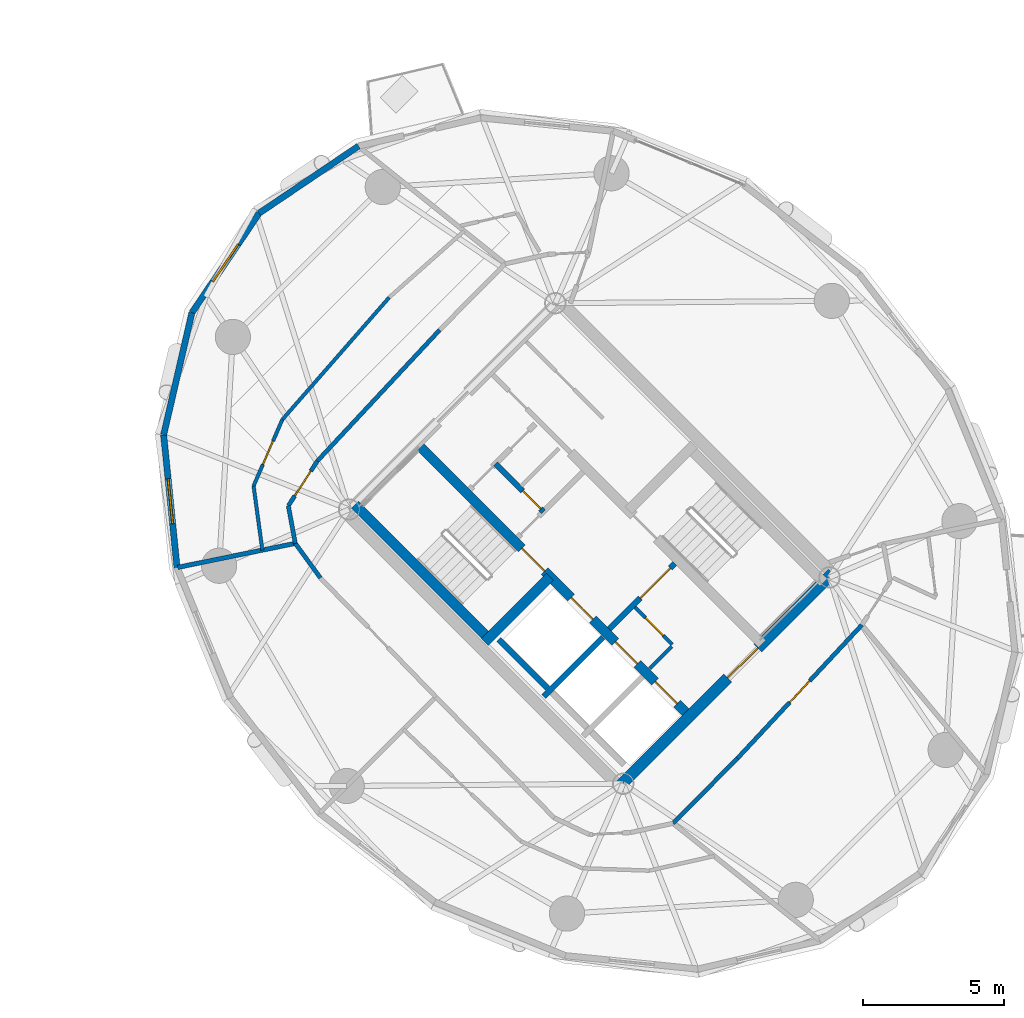
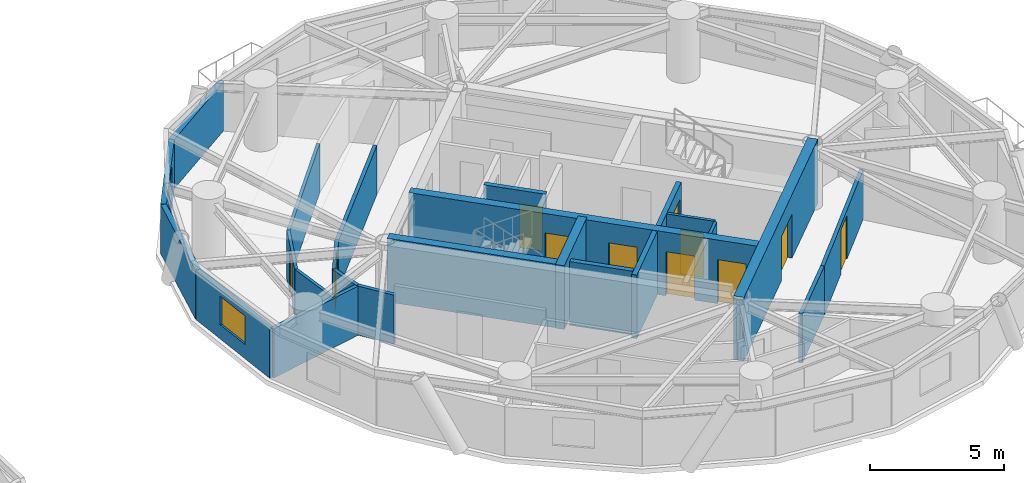
# One storey, part 11 of 16: 24 walls, 11 doors, 2 windows, 13 openings.
"""IFC4 building model written with IfcOpenShell, lengths in metres."""

from ifc_helpers import new_model, si_unit, direction, frame, frame_2d, origin, place, context, subcontext, project, spatial, rectangle, extrude, source, transform, mapped, material, layer, layer_set, type_object, element, fill, save


model = new_model("IFC4")

# Units and contexts
model_context = context("Model", 3, precision=1e-05, world=origin(), true_north=direction((0.0, 1.0)))
body_context = subcontext(model_context, "Body", "Model", "MODEL_VIEW")
ifc_project = project(units=[si_unit("LENGTHUNIT", "METRE"), si_unit("AREAUNIT", "SQUARE_METRE"), si_unit("VOLUMEUNIT", "CUBIC_METRE"), si_unit("PLANEANGLEUNIT", "RADIAN"), si_unit("MASSUNIT", "GRAM", prefix="KILO")], contexts=[model_context])

# Site, building, storey
site_placement = place(None, origin())
site = spatial("IfcSite", under=ifc_project, at=site_placement, CompositionType="ELEMENT")
building_placement = place(site_placement, origin())
building = spatial("IfcBuilding", under=site, at=building_placement, Name="Cununo Teusaquillo Station Towers", CompositionType="ELEMENT")
storey_placement = place(building_placement, frame((0.0, 0.0, 171.969970703125)))
storey = spatial("IfcBuildingStorey", under=building, at=storey_placement, Name="L54", CompositionType="ELEMENT", Elevation=171.969970703125)

# Walls
ifc_material_1 = material(Name="Concrete C50/60", Category="concrete")
ifc_layer_1 = layer(ifc_material_1, 0.199951171875)
ifc_layer_set_1 = layer_set([ifc_layer_1], Name="Concrete C50/60")
wall_type_1 = type_object("IfcWallType", Name="WL-CORE-200", PredefinedType="SHEAR", material=ifc_layer_set_1)
wall_1_placement = place(storey_placement, frame((55.8876953125, 19.0693359375, 0.0), z_axis=(0.0, 0.0, 1.0), x_axis=(0.707106781187, 0.707106781187, 0.0)))
element("IfcWall", 1, at=wall_1_placement, inside=storey, type_object=wall_type_1, Name="L54 Tower B Firefighting Lift Shaft South Shear Wall", PredefinedType="SHEAR", context=body_context, shape_type="SweptSolid", body=[
    extrude(rectangle(XDim=2.969970703125, YDim=0.199951171875, at=frame_2d((1.48486328125, 0.0))), origin(), (0.0, 0.0, 1.0), 2.909912109375),
])
wall_2_placement = place(storey_placement, frame((56.01513671875, 19.366455078125, 0.0), z_axis=(0.0, 0.0, 1.0), x_axis=(-0.707106781187, 0.707106781187, 0.0)))
element("IfcWall", 2, at=wall_2_placement, inside=storey, type_object=wall_type_1, Name="L54 Tower B Firefighting Lift Shaft Rear Shear Wall", PredefinedType="SHEAR", context=body_context, shape_type="SweptSolid", body=[
    extrude(rectangle(XDim=2.43994140625, YDim=0.199951171875, at=frame_2d((1.219970703125, 0.0))), origin(), (0.0, 0.0, 1.0), 2.909912109375),
])

# Wall, openings, doors
ifc_material_2 = material(Name="Concrete C50/60", Category="concrete")
ifc_layer_2 = layer(ifc_material_2, 0.35009765625)
ifc_layer_set_2 = layer_set([ifc_layer_2], Name="Concrete C50/60")
wall_type_2 = type_object("IfcWallType", Name="WL-CORE-350", PredefinedType="SHEAR", material=ifc_layer_set_2)
wall_3_placement = place(storey_placement, frame((61.060302734375, 18.372802734375, 0.0), z_axis=(0.0, 0.0, 1.0), x_axis=(-0.707106781187, 0.707106781187, 0.0)))
wall_3 = element("IfcWall", 3, at=wall_3_placement, inside=storey, type_object=wall_type_2, Name="L54 Tower B Core Shear Wall IW", PredefinedType="SHEAR", context=body_context, shape_type="SweptSolid", body=[
    extrude(rectangle(XDim=13.7001953125, YDim=0.35009765625, at=frame_2d((6.85009765625, 0.0))), origin(), (0.0, 0.0, 1.0), 2.909912109375),
])
shared_shape_1 = source(origin(), body_context, "Body", "SweptSolid", [
    extrude(rectangle(XDim=1.10009765625, YDim=2.014892578125, at=frame_2d((0.550048828125, 1.00732421875))), frame((0.0, 0.18505859375, 0.0), z_axis=(0.0, -1.0, 0.0), x_axis=(1.0, 0.0, 0.0)), (0.0, 0.0, 1.0), 0.3701171875),
])
opening_1_placement = place(wall_3_placement, frame((4.85009765625, 0.0, 0.0)))
opening_1 = element("IfcOpeningElement", 4, at=opening_1_placement, cuts=wall_3, Name="Opening LD-01", PredefinedType="OPENING", context=body_context, shape_type="MappedRepresentation", body=[
    mapped(shared_shape_1, transform((0.0, 0.0, 0.0), x_axis=(1.0, 0.0, 0.0), y_axis=(0.0, 1.0, 0.0), z_axis=(0.0, 0.0, 1.0), scale=1.0)),
])
opening_2_placement = place(wall_3_placement, frame((0.625, 0.0, 0.0)))
opening_2 = element("IfcOpeningElement", 5, at=opening_2_placement, cuts=wall_3, Name="Opening LD-01", PredefinedType="OPENING", context=body_context, shape_type="MappedRepresentation", body=[
    mapped(shared_shape_1, transform((0.0, 0.0, 0.0), x_axis=(1.0, 0.0, 0.0), y_axis=(0.0, 1.0, 0.0), z_axis=(0.0, 0.0, 1.0), scale=1.0)),
])
opening_3_placement = place(wall_3_placement, frame((2.625, 0.0, 0.0)))
opening_3 = element("IfcOpeningElement", 6, at=opening_3_placement, cuts=wall_3, Name="Opening LD-01", PredefinedType="OPENING", context=body_context, shape_type="MappedRepresentation", body=[
    mapped(shared_shape_1, transform((0.0, 0.0, 0.0), x_axis=(1.0, 0.0, 0.0), y_axis=(0.0, 1.0, 0.0), z_axis=(0.0, 0.0, 1.0), scale=1.0)),
])
shared_shape_2 = source(origin(), body_context, "Body", "SweptSolid", [
    extrude(rectangle(XDim=1.14990234375, YDim=2.02001953125, at=frame_2d((0.574951171875, 1.010009765625))), frame((0.0, 0.18505859375, 0.0), z_axis=(0.0, -1.0, 0.0), x_axis=(1.0, 0.0, 0.0)), (0.0, 0.0, 1.0), 0.3701171875),
])
opening_4_placement = place(wall_3_placement, frame((7.27001953125, 0.0, 0.0)))
opening_4 = element("IfcOpeningElement", 7, at=opening_4_placement, cuts=wall_3, Name="Opening D-ST1", PredefinedType="OPENING", context=body_context, shape_type="MappedRepresentation", body=[
    mapped(shared_shape_2, transform((0.0, 0.0, 0.0), x_axis=(1.0, 0.0, 0.0), y_axis=(0.0, 1.0, 0.0), z_axis=(0.0, 0.0, 1.0), scale=1.0)),
])
ifc_material_3 = material(Name="Galvanised fire-rated hollow steel door assembly", Category="steel")
door_type_1 = type_object("IfcDoorType", Name="DR-LIFT-1100", OperationType="SLIDING_TO_LEFT", PredefinedType="DOOR", material=ifc_material_3)
shared_shape_3 = source(origin(), body_context, "Body", "SweptSolid", [
    extrude(rectangle(XDim=1.10009765625, YDim=2.014892578125, at=frame_2d((0.550048828125, 1.00732421875))), frame((0.0, 0.02490234375, 0.0), z_axis=(0.0, -1.0, 0.0), x_axis=(1.0, 0.0, 0.0)), (0.0, 0.0, 1.0), 0.050048828125),
])
door_1_placement = place(opening_1_placement, origin())
door_1 = element("IfcDoor", 8, at=door_1_placement, inside=storey, type_object=door_type_1, Name="L54 Lift FL-T2 Sliding Landing Door", OperationType="SLIDING_TO_RIGHT", OverallHeight=2.014892578125, OverallWidth=1.10009765625, PredefinedType="DOOR", context=body_context, shape_type="MappedRepresentation", body=[
    mapped(shared_shape_3, transform((0.0, 0.0, 0.0), x_axis=(1.0, 0.0, 0.0), y_axis=(0.0, 1.0, 0.0), z_axis=(0.0, 0.0, 1.0), scale=1.0)),
])
fill(opening_1, door_1)
door_2_placement = place(opening_2_placement, origin())
door_2 = element("IfcDoor", 9, at=door_2_placement, inside=storey, type_object=door_type_1, Name="L54 Lift PL-T2-H1 Sliding Landing Door", OperationType="SLIDING_TO_LEFT", OverallHeight=2.014892578125, OverallWidth=1.10009765625, PredefinedType="DOOR", context=body_context, shape_type="MappedRepresentation", body=[
    mapped(shared_shape_3, transform((0.0, 0.0, 0.0), x_axis=(1.0, 0.0, 0.0), y_axis=(0.0, 1.0, 0.0), z_axis=(0.0, 0.0, 1.0), scale=1.0)),
])
fill(opening_2, door_2)
door_3_placement = place(opening_3_placement, origin())
door_3 = element("IfcDoor", 10, at=door_3_placement, inside=storey, type_object=door_type_1, Name="L54 Lift PL-T2-H2 Sliding Landing Door", OperationType="SLIDING_TO_RIGHT", OverallHeight=2.014892578125, OverallWidth=1.10009765625, PredefinedType="DOOR", context=body_context, shape_type="MappedRepresentation", body=[
    mapped(shared_shape_3, transform((0.0, 0.0, 0.0), x_axis=(1.0, 0.0, 0.0), y_axis=(0.0, 1.0, 0.0), z_axis=(0.0, 0.0, 1.0), scale=1.0)),
])
fill(opening_3, door_3)
ifc_material_4 = material(Name="Galvanised fire-rated hollow steel door assembly", Category="steel")
door_type_2 = type_object("IfcDoorType", Name="DR-STAIR-1150", OperationType="NOTDEFINED", PredefinedType="DOOR", material=ifc_material_4)
shared_shape_4 = source(origin(), body_context, "Body", "SweptSolid", [
    extrude(rectangle(XDim=1.14990234375, YDim=2.02001953125, at=frame_2d((0.574951171875, 1.010009765625))), frame((0.0, 0.02490234375, 0.0), z_axis=(0.0, -1.0, 0.0), x_axis=(1.0, 0.0, 0.0)), (0.0, 0.0, 1.0), 0.050048828125),
])
door_4_placement = place(opening_4_placement, origin())
door_4 = element("IfcDoor", 11, at=door_4_placement, inside=storey, type_object=door_type_2, Name="L54 Tower B Exit Stair 1 Fire Door", OperationType="SINGLE_SWING_LEFT", OverallHeight=2.02001953125, OverallWidth=1.14990234375, PredefinedType="DOOR", context=body_context, shape_type="MappedRepresentation", body=[
    mapped(shared_shape_4, transform((0.0, 0.0, 0.0), x_axis=(1.0, 0.0, 0.0), y_axis=(0.0, 1.0, 0.0), z_axis=(0.0, 0.0, 1.0), scale=1.0)),
])
fill(opening_4, door_4)

# Walls
wall_4_placement = place(storey_placement, frame((53.922119140625, 21.14111328125, 0.0), z_axis=(0.0, 0.0, 1.0), x_axis=(-0.707106781187, 0.707106781187, 0.0)))
element("IfcWall", 12, at=wall_4_placement, inside=storey, type_object=wall_type_2, Name="L54 Tower B Core Shear Wall ST1W", PredefinedType="SHEAR", context=body_context, shape_type="SweptSolid", body=[
    extrude(rectangle(XDim=6.695068359375, YDim=0.35009765625, at=frame_2d((3.34765625, 0.0))), origin(), (0.0, 0.0, 1.0), 2.909912109375),
])
wall_5_placement = place(storey_placement, frame((53.7841796875, 21.00341796875, 0.0), z_axis=(0.0, 0.0, 1.0), x_axis=(0.707106781187, 0.707106781187, 0.0)))
element("IfcWall", 13, at=wall_5_placement, inside=storey, type_object=wall_type_2, Name="L54 Tower B Core Shear Wall ST1S", PredefinedType="SHEAR", context=body_context, shape_type="SweptSolid", body=[
    extrude(rectangle(XDim=3.284912109375, YDim=0.35009765625, at=frame_2d((1.642578125, 0.0))), origin(), (0.0, 0.0, 1.0), 2.909912109375),
])

# Wall, opening, door
ifc_material_5 = material(Name="Concrete C50/60", Category="concrete")
ifc_layer_3 = layer(ifc_material_5, 0.39990234375)
ifc_layer_set_3 = layer_set([ifc_layer_3], Name="Concrete C50/60")
wall_type_3 = type_object("IfcWallType", Name="WL-CORE-400", PredefinedType="SHEAR", material=ifc_layer_set_3)
wall_6_placement = place(storey_placement, frame((58.560791015625, 15.873291015625, 0.0), z_axis=(0.0, 0.0, 1.0), x_axis=(0.707106781187, 0.707106781187, 0.0)))
wall_6 = element("IfcWall", 14, at=wall_6_placement, inside=storey, type_object=wall_type_3, Name="L54 Tower B Core Shear Wall S", PredefinedType="SHEAR", context=body_context, shape_type="SweptSolid", body=[
    extrude(rectangle(XDim=10.69970703125, YDim=0.39990234375, at=frame_2d((5.349853515625, 0.0))), origin(), (0.0, 0.0, 1.0), 2.909912109375),
])
shared_shape_5 = source(origin(), body_context, "Body", "SweptSolid", [
    extrude(rectangle(XDim=1.5, YDim=2.02001953125, at=frame_2d((0.75, 1.010009765625))), frame((0.0, 0.2099609375, 0.0), z_axis=(0.0, -1.0, 0.0), x_axis=(1.0, 0.0, 0.0)), (0.0, 0.0, 1.0), 0.419921875),
])
opening_5_placement = place(wall_6_placement, frame((5.449951171875, 0.0, 0.0)))
opening_5 = element("IfcOpeningElement", 15, at=opening_5_placement, cuts=wall_6, Name="Opening D-LB1", PredefinedType="OPENING", context=body_context, shape_type="MappedRepresentation", body=[
    mapped(shared_shape_5, transform((0.0, 0.0, 0.0), x_axis=(1.0, 0.0, 0.0), y_axis=(0.0, 1.0, 0.0), z_axis=(0.0, 0.0, 1.0), scale=1.0)),
])
ifc_material_6 = material(Name="Galvanised fire-rated hollow steel door assembly", Category="steel")
door_type_3 = type_object("IfcDoorType", Name="DR-LOBBY-1500", OperationType="DOUBLE_DOOR_SINGLE_SWING", PredefinedType="DOOR", material=ifc_material_6)
shared_shape_6 = source(origin(), body_context, "Body", "SweptSolid", [
    extrude(rectangle(XDim=1.5, YDim=2.02001953125, at=frame_2d((0.75, 1.010009765625))), frame((0.0, 0.02490234375, 0.0), z_axis=(0.0, -1.0, 0.0), x_axis=(1.0, 0.0, 0.0)), (0.0, 0.0, 1.0), 0.050048828125),
])
door_5_placement = place(opening_5_placement, origin())
door_5 = element("IfcDoor", 16, at=door_5_placement, inside=storey, type_object=door_type_3, Name="L54 Tower B South Core Lift Lobby Door", OperationType="DOUBLE_DOOR_SINGLE_SWING", OverallHeight=2.02001953125, OverallWidth=1.5, PredefinedType="DOOR", context=body_context, shape_type="MappedRepresentation", body=[
    mapped(shared_shape_6, transform((0.0, 0.0, 0.0), x_axis=(1.0, 0.0, 0.0), y_axis=(0.0, 1.0, 0.0), z_axis=(0.0, 0.0, 1.0), scale=1.0)),
])
fill(opening_5, door_5)

# Wall
ifc_material_7 = material(Name="Precast concrete C40/50", Category="concrete")
ifc_layer_4 = layer(ifc_material_7, 0.219970703125)
ifc_layer_set_4 = layer_set([ifc_layer_4], Name="Precast concrete C40/50")
wall_type_4 = type_object("IfcWallType", Name="WL-EXT-220", PredefinedType="SOLIDWALL", material=ifc_layer_set_4)
wall_7_placement = place(storey_placement, frame((45.783203125, 36.216796875, 0.0), z_axis=(0.0, 0.0, 1.0), x_axis=(0.828817439852, 0.55951912514, 0.0)))
element("IfcWall", 17, at=wall_7_placement, inside=storey, type_object=wall_type_4, Name="L54 Tower B Exterior Facade Wall C04", PredefinedType="SOLIDWALL", context=body_context, shape_type="SweptSolid", body=[
    extrude(rectangle(XDim=4.259033203125, YDim=0.219970703125, at=frame_2d((2.12939453125, 0.0))), origin(), (0.0, 0.0, 1.0), 2.2451171875),
])

# Wall, opening, window
wall_8_placement = place(storey_placement, frame((43.400146484375, 32.686767578125, 0.0), z_axis=(0.0, 0.0, 1.0), x_axis=(0.55951912514, 0.828817439852, 0.0)))
wall_8 = element("IfcWall", 18, at=wall_8_placement, inside=storey, type_object=wall_type_4, Name="L54 Tower B Exterior Facade Wall C05", PredefinedType="SOLIDWALL", context=body_context, shape_type="SweptSolid", body=[
    extrude(rectangle(XDim=4.259033203125, YDim=0.219970703125, at=frame_2d((2.12939453125, 0.0))), origin(), (0.0, 0.0, 1.0), 2.2451171875),
])
shared_shape_7 = source(origin(), body_context, "Body", "SweptSolid", [
    extrude(rectangle(XDim=1.60009765625, YDim=1.300048828125, at=frame_2d((0.800048828125, 0.64990234375))), frame((0.0, 0.119873046875, 0.0), z_axis=(0.0, -1.0, 0.0), x_axis=(1.0, 0.0, 0.0)), (0.0, 0.0, 1.0), 0.239990234375),
])
opening_6_placement = place(wall_8_placement, frame((1.330078125, 0.0, 0.64990234375)))
opening_6 = element("IfcOpeningElement", 19, at=opening_6_placement, cuts=wall_8, Name="Opening WN-03", PredefinedType="OPENING", context=body_context, shape_type="MappedRepresentation", body=[
    mapped(shared_shape_7, transform((0.0, 0.0, 0.0), x_axis=(1.0, 0.0, 0.0), y_axis=(0.0, 1.0, 0.0), z_axis=(0.0, 0.0, 1.0), scale=1.0)),
])
ifc_material_8 = material(Name="Ceramic-fritted dark low-E double glazing", Category="glass")
window_type = type_object("IfcWindowType", Name="WIN-CORN-1600", PartitioningType="SINGLE_PANEL", PredefinedType="WINDOW", material=ifc_material_8)
shared_shape_8 = source(origin(), body_context, "Body", "SweptSolid", [
    extrude(rectangle(XDim=1.60009765625, YDim=1.300048828125, at=frame_2d((0.800048828125, 0.64990234375))), frame((0.0, 0.030029296875, 0.0), z_axis=(0.0, -1.0, 0.0), x_axis=(1.0, 0.0, 0.0)), (0.0, 0.0, 1.0), 0.06005859375),
])
window_1_placement = place(opening_6_placement, origin())
window_1 = element("IfcWindow", 20, at=window_1_placement, inside=storey, type_object=window_type, Name="L54 Tower B Facade Window C05", OverallHeight=1.300048828125, OverallWidth=1.60009765625, PartitioningType="SINGLE_PANEL", PredefinedType="WINDOW", context=body_context, shape_type="MappedRepresentation", body=[
    mapped(shared_shape_8, transform((0.0, 0.0, 0.0), x_axis=(1.0, 0.0, 0.0), y_axis=(0.0, 1.0, 0.0), z_axis=(0.0, 0.0, 1.0), scale=1.0)),
])
fill(opening_6, window_1)

# Wall
wall_9_placement = place(storey_placement, frame((42.397216796875, 28.355224609375, 0.0), z_axis=(0.0, 0.0, 1.0), x_axis=(0.22557328587, 0.97422620202, 0.0)))
element("IfcWall", 21, at=wall_9_placement, inside=storey, type_object=wall_type_4, Name="L54 Tower B Exterior Facade Wall C06", PredefinedType="SOLIDWALL", context=body_context, shape_type="SweptSolid", body=[
    extrude(rectangle(XDim=4.446044921875, YDim=0.219970703125, at=frame_2d((2.22314453125, 0.0))), origin(), (0.0, 0.0, 1.0), 2.2451171875),
])

# Wall, opening, window
wall_10_placement = place(storey_placement, frame((42.87255859375, 23.646484375, 0.0), z_axis=(0.0, 0.0, 1.0), x_axis=(-0.100438356004, 0.994943283129, 0.0)))
wall_10 = element("IfcWall", 22, at=wall_10_placement, inside=storey, type_object=wall_type_4, Name="L54 Tower B Exterior Facade Wall C07", PredefinedType="SOLIDWALL", context=body_context, shape_type="SweptSolid", body=[
    extrude(rectangle(XDim=4.732666015625, YDim=0.219970703125, at=frame_2d((2.3662109375, 0.0))), origin(), (0.0, 0.0, 1.0), 2.2451171875),
])
opening_7_placement = place(wall_10_placement, frame((1.56591796875, 0.0, 0.64990234375)))
opening_7 = element("IfcOpeningElement", 23, at=opening_7_placement, cuts=wall_10, Name="Opening WN-03", PredefinedType="OPENING", context=body_context, shape_type="MappedRepresentation", body=[
    mapped(shared_shape_7, transform((0.0, 0.0, 0.0), x_axis=(1.0, 0.0, 0.0), y_axis=(0.0, 1.0, 0.0), z_axis=(0.0, 0.0, 1.0), scale=1.0)),
])
window_2_placement = place(opening_7_placement, origin())
window_2 = element("IfcWindow", 24, at=window_2_placement, inside=storey, type_object=window_type, Name="L54 Tower B Facade Window C07", OverallHeight=1.300048828125, OverallWidth=1.60009765625, PartitioningType="SINGLE_PANEL", PredefinedType="WINDOW", context=body_context, shape_type="MappedRepresentation", body=[
    mapped(shared_shape_8, transform((0.0, 0.0, 0.0), x_axis=(1.0, 0.0, 0.0), y_axis=(0.0, 1.0, 0.0), z_axis=(0.0, 0.0, 1.0), scale=1.0)),
])
fill(opening_7, window_2)

# Wall, opening, door
ifc_material_9 = material(Name="Fire-rated gypsum plasterboard partition assembly", Category="gypsum")
ifc_layer_5 = layer(ifc_material_9, 0.125)
ifc_layer_set_5 = layer_set([ifc_layer_5], Name="Fire-rated gypsum plasterboard partition assembly")
wall_type_5 = type_object("IfcWallType", Name="WL-PART-125", PredefinedType="PARTITIONING", material=ifc_layer_set_5)
wall_11_placement = place(storey_placement, frame((60.448486328125, 20.9150390625, 0.0), z_axis=(0.0, 0.0, 1.0), x_axis=(-0.707106781187, 0.707106781187, 0.0)))
wall_11 = element("IfcWall", 25, at=wall_11_placement, inside=storey, type_object=wall_type_5, Name="L54 Tower B North-West Lobby Store East Wall", PredefinedType="PARTITIONING", context=body_context, shape_type="SweptSolid", body=[
    extrude(rectangle(XDim=1.869873046875, YDim=0.125, at=frame_2d((0.93505859375, 0.0))), origin(), (0.0, 0.0, 1.0), 2.675048828125),
])
shared_shape_9 = source(origin(), body_context, "Body", "SweptSolid", [
    extrude(rectangle(XDim=0.89990234375, YDim=2.0048828125, at=frame_2d((0.449951171875, 1.00244140625))), frame((0.0, 0.072509765625, 0.0), z_axis=(0.0, -1.0, 0.0), x_axis=(1.0, 0.0, 0.0)), (0.0, 0.0, 1.0), 0.14501953125),
])
opening_8_placement = place(wall_11_placement, frame((0.449951171875, 0.0, 0.0)))
opening_8 = element("IfcOpeningElement", 26, at=opening_8_placement, cuts=wall_11, Name="Opening D-SR1", PredefinedType="OPENING", context=body_context, shape_type="MappedRepresentation", body=[
    mapped(shared_shape_9, transform((0.0, 0.0, 0.0), x_axis=(1.0, 0.0, 0.0), y_axis=(0.0, 1.0, 0.0), z_axis=(0.0, 0.0, 1.0), scale=1.0)),
])
ifc_material_10 = material(Name="Galvanised fire-rated hollow steel door assembly", Category="steel")
door_type_4 = type_object("IfcDoorType", Name="DR-STORE-900", OperationType="NOTDEFINED", PredefinedType="DOOR", material=ifc_material_10)
shared_shape_10 = source(origin(), body_context, "Body", "SweptSolid", [
    extrude(rectangle(XDim=0.89990234375, YDim=2.0048828125, at=frame_2d((0.449951171875, 1.00244140625))), frame((0.0, 0.02490234375, 0.0), z_axis=(0.0, -1.0, 0.0), x_axis=(1.0, 0.0, 0.0)), (0.0, 0.0, 1.0), 0.050048828125),
])
door_6_placement = place(opening_8_placement, origin())
door_6 = element("IfcDoor", 27, at=door_6_placement, inside=storey, type_object=door_type_4, Name="L54 Tower B South Lobby Data Store Door", OperationType="SINGLE_SWING_LEFT", OverallHeight=2.0048828125, OverallWidth=0.89990234375, PredefinedType="DOOR", context=body_context, shape_type="MappedRepresentation", body=[
    mapped(shared_shape_10, transform((0.0, 0.0, 0.0), x_axis=(1.0, 0.0, 0.0), y_axis=(0.0, 1.0, 0.0), z_axis=(0.0, 0.0, 1.0), scale=1.0)),
])
fill(opening_8, door_6)

# Walls
wall_12_placement = place(storey_placement, frame((59.642578125, 20.06640625, 0.0), z_axis=(0.0, 0.0, 1.0), x_axis=(0.707106781187, 0.707106781187, 0.0)))
element("IfcWall", 28, at=wall_12_placement, inside=storey, type_object=wall_type_5, Name="L54 Tower B North-West Lobby Store South Wall", PredefinedType="PARTITIONING", context=body_context, shape_type="SweptSolid", body=[
    extrude(rectangle(XDim=1.10009765625, YDim=0.125, at=frame_2d((0.550048828125, 0.0))), origin(), (0.0, 0.0, 1.0), 2.675048828125),
])
wall_13_placement = place(storey_placement, frame((50.401123046875, 33.230224609375, 0.0), z_axis=(0.0, 0.0, 1.0), x_axis=(-0.658387591096, -0.752679068322, 0.0)))
element("IfcWall", 29, at=wall_13_placement, inside=storey, type_object=wall_type_5, Name="L54 Tower B Private Butler & Banquet Hall Concentric Partition Wall C05", PredefinedType="PARTITIONING", context=body_context, shape_type="SweptSolid", body=[
    extrude(rectangle(XDim=5.760986328125, YDim=0.125, at=frame_2d((2.88037109375, 0.0))), origin(), (0.0, 0.0, 1.0), 2.2451171875),
])

# Wall, opening, door
wall_14_placement = place(storey_placement, frame((46.608154296875, 28.89404296875, 0.0), z_axis=(0.0, 0.0, 1.0), x_axis=(-0.397650183672, -0.917537100844, 0.0)))
wall_14 = element("IfcWall", 30, at=wall_14_placement, inside=storey, type_object=wall_type_5, Name="L54 Tower B Private Butler & Banquet Hall Concentric Partition Wall C06", PredefinedType="PARTITIONING", context=body_context, shape_type="SweptSolid", body=[
    extrude(rectangle(XDim=2.564453125, YDim=0.125, at=frame_2d((1.2822265625, 0.0))), origin(), (0.0, 0.0, 1.0), 2.2451171875),
])
opening_9_placement = place(wall_14_placement, frame((0.832275390625, 0.0, 0.0)))
opening_9 = element("IfcOpeningElement", 31, at=opening_9_placement, cuts=wall_14, Name="Opening D-IN1", PredefinedType="OPENING", context=body_context, shape_type="MappedRepresentation", body=[
    mapped(shared_shape_9, transform((0.0, 0.0, 0.0), x_axis=(1.0, 0.0, 0.0), y_axis=(0.0, 1.0, 0.0), z_axis=(0.0, 0.0, 1.0), scale=1.0)),
])
ifc_material_11 = material(Name="Acoustic solid-core hardwood leaf assembly", Category="wood")
door_type_5 = type_object("IfcDoorType", Name="DR-INT-900", OperationType="NOTDEFINED", PredefinedType="DOOR", material=ifc_material_11)
door_7_placement = place(opening_9_placement, origin())
door_7 = element("IfcDoor", 32, at=door_7_placement, inside=storey, type_object=door_type_5, Name="L54 Tower B Private Butler & Banquet Hall Connecting Door", OperationType="SINGLE_SWING_LEFT", OverallHeight=2.0048828125, OverallWidth=0.89990234375, PredefinedType="DOOR", context=body_context, shape_type="MappedRepresentation", body=[
    mapped(shared_shape_10, transform((0.0, 0.0, 0.0), x_axis=(1.0, 0.0, 0.0), y_axis=(0.0, 1.0, 0.0), z_axis=(0.0, 0.0, 1.0), scale=1.0)),
])
fill(opening_9, door_7)

# Walls
wall_15_placement = place(storey_placement, frame((45.58837890625, 26.541015625, 0.0), z_axis=(0.0, 0.0, 1.0), x_axis=(0.135321759641, -0.990801706381, 0.0)))
element("IfcWall", 33, at=wall_15_placement, inside=storey, type_object=wall_type_5, Name="L54 Tower B Private Butler & Banquet Hall Concentric Partition Wall C07", PredefinedType="PARTITIONING", context=body_context, shape_type="SweptSolid", body=[
    extrude(rectangle(XDim=2.298583984375, YDim=0.125, at=frame_2d((1.1494140625, 0.0))), origin(), (0.0, 0.0, 1.0), 2.2451171875),
])
ifc_material_12 = material(Name="Fire-rated gypsum plasterboard partition assembly", Category="gypsum")
ifc_layer_6 = layer(ifc_material_12, 0.14990234375)
ifc_layer_set_6 = layer_set([ifc_layer_6], Name="Fire-rated gypsum plasterboard partition assembly")
wall_type_6 = type_object("IfcWallType", Name="WL-PART-150", PredefinedType="PARTITIONING", material=ifc_layer_set_6)
wall_16_placement = place(storey_placement, frame((52.19140625, 32.07421875, 0.0), z_axis=(0.0, 0.0, 1.0), x_axis=(-0.682404362608, -0.730974887321, 0.0)))
element("IfcWall", 34, at=wall_16_placement, inside=storey, type_object=wall_type_6, Name="L54 Tower B Corridor Ring Wall C05", PredefinedType="PARTITIONING", context=body_context, shape_type="SweptSolid", body=[
    extrude(rectangle(XDim=6.363525390625, YDim=0.14990234375, at=frame_2d((3.181640625, 0.0))), origin(), (0.0, 0.0, 1.0), 2.2451171875),
])

# Wall, opening, door
wall_17_placement = place(storey_placement, frame((47.848876953125, 27.422607421875, 0.0), z_axis=(0.0, 0.0, 1.0), x_axis=(-0.543529808582, -0.839389866023, 0.0)))
wall_17 = element("IfcWall", 35, at=wall_17_placement, inside=storey, type_object=wall_type_6, Name="L54 Tower B Corridor Ring Wall C06", PredefinedType="PARTITIONING", context=body_context, shape_type="SweptSolid", body=[
    extrude(rectangle(XDim=1.8896484375, YDim=0.14990234375, at=frame_2d((0.94482421875, 0.0))), origin(), (0.0, 0.0, 1.0), 2.2451171875),
])
shared_shape_11 = source(origin(), body_context, "Body", "SweptSolid", [
    extrude(rectangle(XDim=1.050048828125, YDim=2.014892578125, at=frame_2d((0.52490234375, 1.00732421875))), frame((0.0, 0.0849609375, 0.0), z_axis=(0.0, -1.0, 0.0), x_axis=(1.0, 0.0, 0.0)), (0.0, 0.0, 1.0), 0.169921875),
])
opening_10_placement = place(wall_17_placement, frame((0.419921875, 0.0, 0.0)))
opening_10 = element("IfcOpeningElement", 36, at=opening_10_placement, cuts=wall_17, Name="Opening D-SU1", PredefinedType="OPENING", context=body_context, shape_type="MappedRepresentation", body=[
    mapped(shared_shape_11, transform((0.0, 0.0, 0.0), x_axis=(1.0, 0.0, 0.0), y_axis=(0.0, 1.0, 0.0), z_axis=(0.0, 0.0, 1.0), scale=1.0)),
])
ifc_material_13 = material(Name="Acoustic solid-core hardwood leaf assembly", Category="wood")
door_type_6 = type_object("IfcDoorType", Name="DR-SUITE-1050", OperationType="NOTDEFINED", PredefinedType="DOOR", material=ifc_material_13)
shared_shape_12 = source(origin(), body_context, "Body", "SweptSolid", [
    extrude(rectangle(XDim=1.050048828125, YDim=2.014892578125, at=frame_2d((0.52490234375, 1.00732421875))), frame((0.0, 0.02490234375, 0.0), z_axis=(0.0, -1.0, 0.0), x_axis=(1.0, 0.0, 0.0)), (0.0, 0.0, 1.0), 0.050048828125),
])
door_8_placement = place(opening_10_placement, origin())
door_8 = element("IfcDoor", 37, at=door_8_placement, inside=storey, type_object=door_type_6, Name="L54 Tower B Private Butler & Banquet Hall Entrance Door", OperationType="SINGLE_SWING_RIGHT", OverallHeight=2.014892578125, OverallWidth=1.050048828125, PredefinedType="DOOR", context=body_context, shape_type="MappedRepresentation", body=[
    mapped(shared_shape_12, transform((0.0, 0.0, 0.0), x_axis=(1.0, 0.0, 0.0), y_axis=(0.0, 1.0, 0.0), z_axis=(0.0, 0.0, 1.0), scale=1.0)),
])
fill(opening_10, door_8)

# Walls
wall_18_placement = place(storey_placement, frame((46.82177734375, 25.83642578125, 0.0), z_axis=(0.0, 0.0, 1.0), x_axis=(0.182115036249, -0.983277231289, 0.0)))
element("IfcWall", 38, at=wall_18_placement, inside=storey, type_object=wall_type_6, Name="L54 Tower B Corridor Ring Wall C07", PredefinedType="PARTITIONING", context=body_context, shape_type="SweptSolid", body=[
    extrude(rectangle(XDim=1.356689453125, YDim=0.14990234375, at=frame_2d((0.67822265625, 0.0))), origin(), (0.0, 0.0, 1.0), 2.2451171875),
])
wall_19_placement = place(storey_placement, frame((47.06884765625, 24.50244140625, 0.0), z_axis=(0.0, 0.0, 1.0), x_axis=(0.587577436866, -0.809167940347, 0.0)))
element("IfcWall", 39, at=wall_19_placement, inside=storey, type_object=wall_type_6, Name="L54 Tower B Corridor Ring Wall C08", PredefinedType="PARTITIONING", context=body_context, shape_type="SweptSolid", body=[
    extrude(rectangle(XDim=1.514892578125, YDim=0.14990234375, at=frame_2d((0.75732421875, 0.0))), origin(), (0.0, 0.0, 1.0), 2.2451171875),
])
wall_20_placement = place(storey_placement, frame((60.47509765625, 14.5703125, 0.0), z_axis=(0.0, 0.0, 1.0), x_axis=(0.703709284374, 0.710488031628, 0.0)))
element("IfcWall", 40, at=wall_20_placement, inside=storey, type_object=wall_type_6, Name="L54 Tower B Corridor Ring Wall C14", PredefinedType="PARTITIONING", context=body_context, shape_type="SweptSolid", body=[
    extrude(rectangle(XDim=3.241455078125, YDim=0.14990234375, at=frame_2d((1.62060546875, 0.0))), origin(), (0.0, 0.0, 1.0), 2.2451171875),
])

# Wall, opening, door
wall_21_placement = place(storey_placement, frame((62.756103515625, 16.873291015625, 0.0), z_axis=(0.0, 0.0, 1.0), x_axis=(0.682136885079, 0.73122450042, 0.0)))
wall_21 = element("IfcWall", 41, at=wall_21_placement, inside=storey, type_object=wall_type_6, Name="L54 Tower B Corridor Ring Wall C15", PredefinedType="PARTITIONING", context=body_context, shape_type="SweptSolid", body=[
    extrude(rectangle(XDim=6.4755859375, YDim=0.14990234375, at=frame_2d((3.23779296875, 0.0))), origin(), (0.0, 0.0, 1.0), 2.2451171875),
])
opening_11_placement = place(wall_21_placement, frame((2.712890625, 0.0, 0.0)))
opening_11 = element("IfcOpeningElement", 42, at=opening_11_placement, cuts=wall_21, Name="Opening D-SU1", PredefinedType="OPENING", context=body_context, shape_type="MappedRepresentation", body=[
    mapped(shared_shape_11, transform((0.0, 0.0, 0.0), x_axis=(1.0, 0.0, 0.0), y_axis=(0.0, 1.0, 0.0), z_axis=(0.0, 0.0, 1.0), scale=1.0)),
])
door_9_placement = place(opening_11_placement, origin())
door_9 = element("IfcDoor", 43, at=door_9_placement, inside=storey, type_object=door_type_6, Name="L54 Tower B Hotel Housekeeping & Linen Pantry Entrance Door", OperationType="SINGLE_SWING_LEFT", OverallHeight=2.014892578125, OverallWidth=1.050048828125, PredefinedType="DOOR", context=body_context, shape_type="MappedRepresentation", body=[
    mapped(shared_shape_12, transform((0.0, 0.0, 0.0), x_axis=(1.0, 0.0, 0.0), y_axis=(0.0, 1.0, 0.0), z_axis=(0.0, 0.0, 1.0), scale=1.0)),
])
fill(opening_11, door_9)

# Wall
ifc_material_14 = material(Name="Fire-rated gypsum plasterboard partition assembly", Category="gypsum")
ifc_layer_7 = layer(ifc_material_14, 0.159912109375)
ifc_layer_set_7 = layer_set([ifc_layer_7], Name="Fire-rated gypsum plasterboard partition assembly")
wall_type_7 = type_object("IfcWallType", Name="WL-PART-160", PredefinedType="PARTITIONING", material=ifc_layer_set_7)
wall_22_placement = place(storey_placement, frame((47.06884765625, 24.50244140625, 0.0), z_axis=(0.0, 0.0, 1.0), x_axis=(-0.979772902724, -0.200112616012, 0.0)))
element("IfcWall", 44, at=wall_22_placement, inside=storey, type_object=wall_type_7, Name="L54 Tower B Radial Suite Partition R03", PredefinedType="PARTITIONING", context=body_context, shape_type="SweptSolid", body=[
    extrude(rectangle(XDim=4.2626953125, YDim=0.159912109375, at=frame_2d((2.13134765625, 0.0))), origin(), (0.0, 0.0, 1.0), 2.2451171875),
])

# Wall, opening, door
ifc_material_15 = material(Name="Fire-rated gypsum plasterboard partition assembly", Category="gypsum")
ifc_layer_8 = layer(ifc_material_15, 0.199951171875)
ifc_layer_set_8 = layer_set([ifc_layer_8], Name="Fire-rated gypsum plasterboard partition assembly")
wall_type_8 = type_object("IfcWallType", Name="WL-PART-200", PredefinedType="PARTITIONING", material=ifc_layer_set_8)
wall_23_placement = place(storey_placement, frame((58.214111328125, 21.466552734375, 0.0), z_axis=(0.0, 0.0, 1.0), x_axis=(0.707106781187, 0.707106781187, 0.0)))
wall_23 = element("IfcWall", 45, at=wall_23_placement, inside=storey, type_object=wall_type_8, Name="L54 Tower B Firefighting Lift Lobby South Fire Wall", PredefinedType="PARTITIONING", context=body_context, shape_type="SweptSolid", body=[
    extrude(rectangle(XDim=3.280029296875, YDim=0.199951171875, at=frame_2d((1.64013671875, 0.0))), origin(), (0.0, 0.0, 1.0), 2.675048828125),
])
shared_shape_13 = source(origin(), body_context, "Body", "SweptSolid", [
    extrude(rectangle(XDim=1.5, YDim=2.02001953125, at=frame_2d((0.75, 1.010009765625))), frame((0.0, 0.10986328125, 0.0), z_axis=(0.0, -1.0, 0.0), x_axis=(1.0, 0.0, 0.0)), (0.0, 0.0, 1.0), 0.219970703125),
])
opening_12_placement = place(wall_23_placement, frame((1.550048828125, 0.0, 0.0)))
opening_12 = element("IfcOpeningElement", 46, at=opening_12_placement, cuts=wall_23, Name="Opening D-LB1", PredefinedType="OPENING", context=body_context, shape_type="MappedRepresentation", body=[
    mapped(shared_shape_13, transform((0.0, 0.0, 0.0), x_axis=(1.0, 0.0, 0.0), y_axis=(0.0, 1.0, 0.0), z_axis=(0.0, 0.0, 1.0), scale=1.0)),
])
door_10_placement = place(opening_12_placement, origin())
door_10 = element("IfcDoor", 47, at=door_10_placement, inside=storey, type_object=door_type_3, Name="L54 Tower B Firefighting Lift Lobby South Fire Door", OperationType="DOUBLE_DOOR_SINGLE_SWING", OverallHeight=2.02001953125, OverallWidth=1.5, PredefinedType="DOOR", context=body_context, shape_type="MappedRepresentation", body=[
    mapped(shared_shape_6, transform((0.0, 0.0, 0.0), x_axis=(1.0, 0.0, 0.0), y_axis=(0.0, 1.0, 0.0), z_axis=(0.0, 0.0, 1.0), scale=1.0)),
])
fill(opening_12, door_10)

wall_24_placement = place(storey_placement, frame((55.873779296875, 25.63134765625, 0.0), z_axis=(0.0, 0.0, 1.0), x_axis=(-0.707157639372, 0.707055919343, 0.0)))
wall_24 = element("IfcWall", 48, at=wall_24_placement, inside=storey, type_object=wall_type_8, Name="L54 Tower B Stair 1 Vestibule Partition Wall", PredefinedType="PARTITIONING", context=body_context, shape_type="SweptSolid", body=[
    extrude(rectangle(XDim=2.400146484375, YDim=0.199951171875, at=frame_2d((1.2001953125, 0.0))), origin(), (0.0, 0.0, 1.0), 2.675048828125),
])
shared_shape_14 = source(origin(), body_context, "Body", "SweptSolid", [
    extrude(rectangle(XDim=0.89990234375, YDim=2.0048828125, at=frame_2d((0.449951171875, 1.00244140625))), frame((0.0, 0.10986328125, 0.0), z_axis=(0.0, -1.0, 0.0), x_axis=(1.0, 0.0, 0.0)), (0.0, 0.0, 1.0), 0.219970703125),
])
opening_13_placement = place(wall_24_placement, frame((0.139892578125, 0.0, 0.0)))
opening_13 = element("IfcOpeningElement", 49, at=opening_13_placement, cuts=wall_24, Name="Opening D-SR1", PredefinedType="OPENING", context=body_context, shape_type="MappedRepresentation", body=[
    mapped(shared_shape_14, transform((0.0, 0.0, 0.0), x_axis=(1.0, 0.0, 0.0), y_axis=(0.0, 1.0, 0.0), z_axis=(0.0, 0.0, 1.0), scale=1.0)),
])
door_11_placement = place(opening_13_placement, origin())
door_11 = element("IfcDoor", 50, at=door_11_placement, inside=storey, type_object=door_type_4, Name="L54 Tower B Core Linen Store Door", OperationType="SINGLE_SWING_RIGHT", OverallHeight=2.0048828125, OverallWidth=0.89990234375, PredefinedType="DOOR", context=body_context, shape_type="MappedRepresentation", body=[
    mapped(shared_shape_10, transform((0.0, 0.0, 0.0), x_axis=(1.0, 0.0, 0.0), y_axis=(0.0, 1.0, 0.0), z_axis=(0.0, 0.0, 1.0), scale=1.0)),
])
fill(opening_13, door_11)

save(model, "model.ifc")
